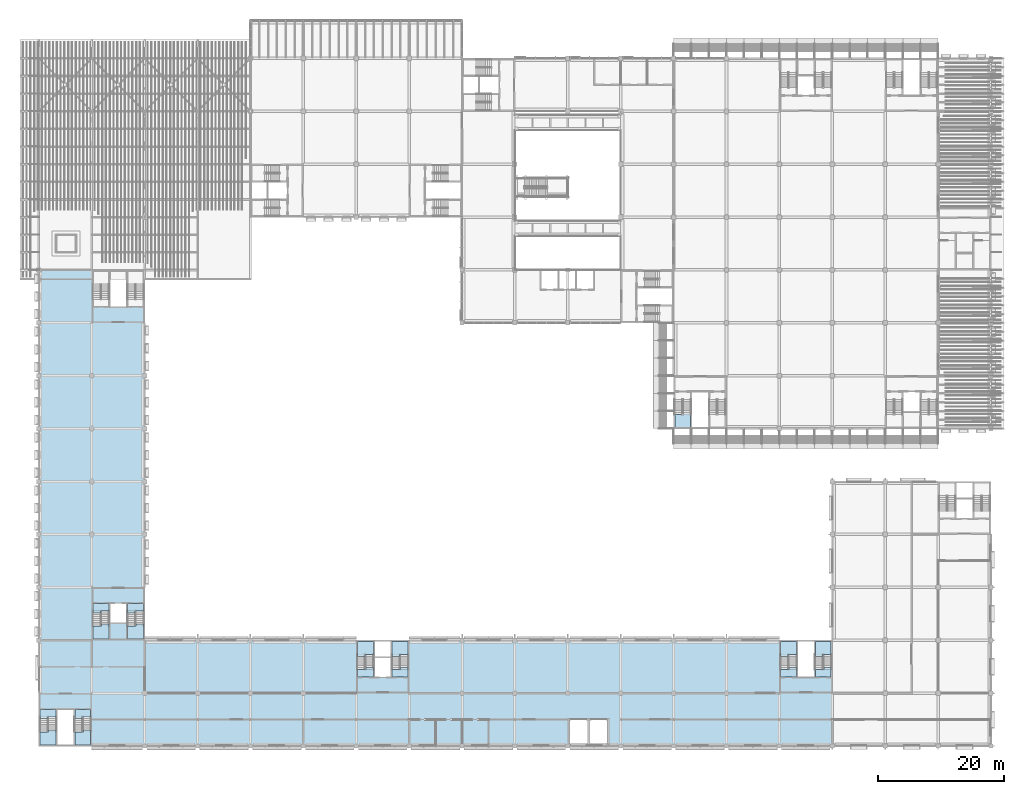
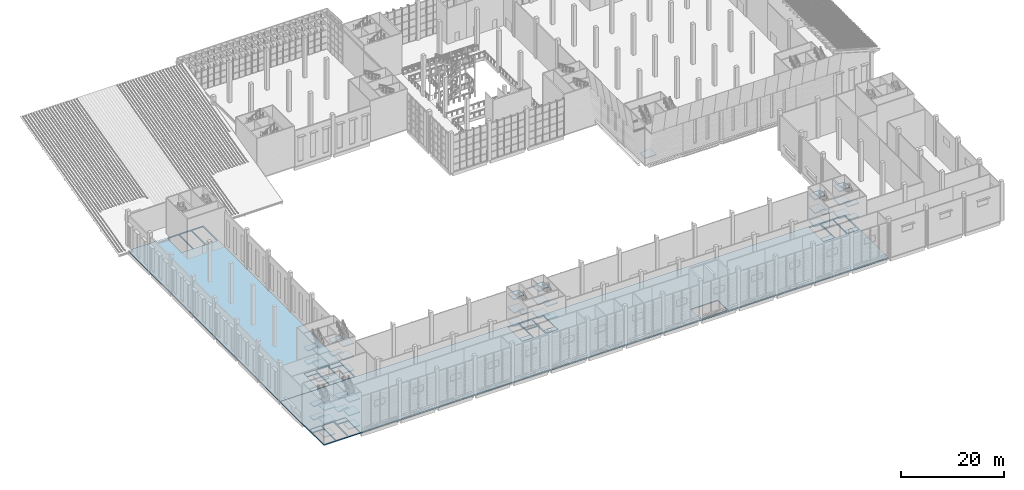
# One storey, part 30 of 114: 51 slabs, 9 elements without a shape of their own.
"""IFC4 building model written with IfcOpenShell, lengths in metres."""

from ifc_helpers import new_model, si_unit, direction, frame, origin, place, context, subcontext, project, spatial, polyline, outline, extrude, material, layer, layer_set, type_object, element, aggregate, save


model = new_model("IFC4")

# Units and contexts
model_context = context("Model", 3, precision=1e-05, world=origin(), true_north=direction((0.0, 1.0)))
body_context = subcontext(model_context, "Body", "Model", "MODEL_VIEW")
ifc_project = project(units=[si_unit("LENGTHUNIT", "METRE"), si_unit("AREAUNIT", "SQUARE_METRE"), si_unit("VOLUMEUNIT", "CUBIC_METRE"), si_unit("PLANEANGLEUNIT", "RADIAN"), si_unit("MASSUNIT", "GRAM", prefix="KILO")], contexts=[model_context])

# Site, building, storey
site_placement = place(None, origin())
site = spatial("IfcSite", under=ifc_project, at=site_placement, CompositionType="ELEMENT")
building_placement = place(site_placement, origin())
building = spatial("IfcBuilding", under=site, at=building_placement, Name="Almond Square Museum", CompositionType="ELEMENT")
storey_placement = place(building_placement, frame((0.0, 0.0, 10.5)))
storey = spatial("IfcBuildingStorey", under=building, at=storey_placement, Name="L02", CompositionType="ELEMENT", Elevation=10.5)

# Stair, slab
ifc_material_1 = material(Name="Concrete C40/50", Category="concrete")
stair_type = type_object("IfcStairType", Name="Exit stair 54 risers of 176 mm", PredefinedType="HALF_TURN_STAIR", material=ifc_material_1)
stair_1_placement = place(storey_placement, origin())
stair_1 = element("IfcStair", 1, at=stair_1_placement, inside=storey, type_object=stair_type, Name="L02 stair H1-1", PredefinedType="HALF_TURN_STAIR")
ifc_material_2 = material(Name="Concrete C40/50", Category="concrete")
ifc_layer_1 = layer(ifc_material_2, 0.199951171875)
ifc_layer_set_1 = layer_set([ifc_layer_1], Name="Concrete C40/50")
slab_type_1 = type_object("IfcSlabType", Name="Concrete stair landing 200", PredefinedType="LANDING", material=ifc_layer_set_1)
slab_1_placement = place(storey_placement, frame((0.0, 0.0, 1.38330078125)))
slab_1 = element("IfcSlab", 2, at=slab_1_placement, type_object=slab_type_1, Name="ST-01 landing 1", PredefinedType="LANDING", context=body_context, shape_type="SweptSolid", body=[
    extrude(outline(polyline([(107.0, 52.653076171875), (107.0, 50.60009765625), (109.5, 50.60009765625), (109.5, 52.949951171875), (108.35009765625, 52.949951171875), (108.35009765625, 52.653076171875), (107.0, 52.653076171875)])), origin(), (0.0, 0.0, 1.0), 0.199951171875),
])
aggregate(stair_1, [slab_1])

# Stair, slabs
stair_2_placement = place(storey_placement, origin())
stair_2 = element("IfcStair", 3, at=stair_2_placement, inside=storey, type_object=stair_type, Name="L02 stair W1-1", PredefinedType="HALF_TURN_STAIR")
slab_2_placement = place(storey_placement, frame((0.0, 0.0, 1.38330078125)))
slab_2 = element("IfcSlab", 4, at=slab_2_placement, type_object=slab_type_1, Name="ST-21 landing 1", PredefinedType="LANDING", context=body_context, shape_type="SweptSolid", body=[
    extrude(outline(polyline([(14.60009765625, 19.052978515625), (14.60009765625, 17.0), (17.10009765625, 17.0), (17.10009765625, 19.35009765625), (15.949951171875, 19.35009765625), (15.949951171875, 19.052978515625), (14.60009765625, 19.052978515625)])), origin(), (0.0, 0.0, 1.0), 0.199951171875),
])
slab_3_placement = place(storey_placement, frame((0.0, 0.0, 2.966552734375)))
slab_3 = element("IfcSlab", 5, at=slab_3_placement, type_object=slab_type_1, Name="ST-21 landing 2", PredefinedType="LANDING", context=body_context, shape_type="SweptSolid", body=[
    extrude(outline(polyline([(14.60009765625, 22.60009765625), (14.60009765625, 21.449951171875), (14.60009765625, 21.14990234375), (15.75, 21.14990234375), (15.75, 21.447021484375), (17.10009765625, 21.447021484375), (17.10009765625, 22.60009765625), (14.60009765625, 22.60009765625)])), origin(), (0.0, 0.0, 1.0), 0.2001953125),
])
slab_4_placement = place(storey_placement, frame((0.0, 0.0, 4.550048828125)))
slab_4 = element("IfcSlab", 6, at=slab_4_placement, type_object=slab_type_1, Name="ST-21 landing 3", PredefinedType="LANDING", context=body_context, shape_type="SweptSolid", body=[
    extrude(outline(polyline([(14.60009765625, 19.052978515625), (14.60009765625, 17.0), (17.10009765625, 17.0), (17.10009765625, 19.35009765625), (15.949951171875, 19.35009765625), (15.949951171875, 19.052978515625), (14.60009765625, 19.052978515625)])), origin(), (0.0, 0.0, 1.0), 0.199951171875),
])
slab_5_placement = place(storey_placement, frame((0.0, 0.0, 6.13330078125)))
slab_5 = element("IfcSlab", 7, at=slab_5_placement, type_object=slab_type_1, Name="ST-21 landing 4", PredefinedType="LANDING", context=body_context, shape_type="SweptSolid", body=[
    extrude(outline(polyline([(14.60009765625, 22.60009765625), (14.60009765625, 21.449951171875), (14.60009765625, 21.14990234375), (15.75, 21.14990234375), (15.75, 21.447021484375), (17.10009765625, 21.447021484375), (17.10009765625, 22.60009765625), (14.60009765625, 22.60009765625)])), origin(), (0.0, 0.0, 1.0), 0.199951171875),
])
slab_6_placement = place(storey_placement, frame((0.0, 0.0, 7.716552734375)))
slab_6 = element("IfcSlab", 8, at=slab_6_placement, type_object=slab_type_1, Name="ST-21 landing 5", PredefinedType="LANDING", context=body_context, shape_type="SweptSolid", body=[
    extrude(outline(polyline([(14.60009765625, 19.052978515625), (14.60009765625, 17.0), (17.10009765625, 17.0), (17.10009765625, 19.35009765625), (15.949951171875, 19.35009765625), (15.949951171875, 19.052978515625), (14.60009765625, 19.052978515625)])), origin(), (0.0, 0.0, 1.0), 0.2001953125),
])
aggregate(stair_2, [slab_2, slab_3, slab_4, slab_5, slab_6])

stair_3_placement = place(storey_placement, origin())
stair_3 = element("IfcStair", 9, at=stair_3_placement, inside=storey, type_object=stair_type, Name="L02 stair W1-2", PredefinedType="HALF_TURN_STAIR")
slab_7_placement = place(storey_placement, frame((0.0, 0.0, 1.38330078125)))
slab_7 = element("IfcSlab", 10, at=slab_7_placement, type_object=slab_type_1, Name="ST-22 landing 1", PredefinedType="LANDING", context=body_context, shape_type="SweptSolid", body=[
    extrude(outline(polyline([(20.10009765625, 19.052978515625), (20.10009765625, 17.0), (22.60009765625, 17.0), (22.60009765625, 19.35009765625), (21.449951171875, 19.35009765625), (21.449951171875, 19.052978515625), (20.10009765625, 19.052978515625)])), origin(), (0.0, 0.0, 1.0), 0.199951171875),
])
slab_8_placement = place(storey_placement, frame((0.0, 0.0, 2.966552734375)))
slab_8 = element("IfcSlab", 11, at=slab_8_placement, type_object=slab_type_1, Name="ST-22 landing 2", PredefinedType="LANDING", context=body_context, shape_type="SweptSolid", body=[
    extrude(outline(polyline([(20.10009765625, 22.60009765625), (20.10009765625, 21.449951171875), (20.10009765625, 21.14990234375), (21.25, 21.14990234375), (21.25, 21.447021484375), (22.60009765625, 21.447021484375), (22.60009765625, 22.60009765625), (20.10009765625, 22.60009765625)])), origin(), (0.0, 0.0, 1.0), 0.2001953125),
])
slab_9_placement = place(storey_placement, frame((0.0, 0.0, 4.550048828125)))
slab_9 = element("IfcSlab", 12, at=slab_9_placement, type_object=slab_type_1, Name="ST-22 landing 3", PredefinedType="LANDING", context=body_context, shape_type="SweptSolid", body=[
    extrude(outline(polyline([(20.10009765625, 19.052978515625), (20.10009765625, 17.0), (22.60009765625, 17.0), (22.60009765625, 19.35009765625), (21.449951171875, 19.35009765625), (21.449951171875, 19.052978515625), (20.10009765625, 19.052978515625)])), origin(), (0.0, 0.0, 1.0), 0.199951171875),
])
slab_10_placement = place(storey_placement, frame((0.0, 0.0, 6.13330078125)))
slab_10 = element("IfcSlab", 13, at=slab_10_placement, type_object=slab_type_1, Name="ST-22 landing 4", PredefinedType="LANDING", context=body_context, shape_type="SweptSolid", body=[
    extrude(outline(polyline([(20.10009765625, 22.60009765625), (20.10009765625, 21.449951171875), (20.10009765625, 21.14990234375), (21.25, 21.14990234375), (21.25, 21.447021484375), (22.60009765625, 21.447021484375), (22.60009765625, 22.60009765625), (20.10009765625, 22.60009765625)])), origin(), (0.0, 0.0, 1.0), 0.199951171875),
])
slab_11_placement = place(storey_placement, frame((0.0, 0.0, 7.716552734375)))
slab_11 = element("IfcSlab", 14, at=slab_11_placement, type_object=slab_type_1, Name="ST-22 landing 5", PredefinedType="LANDING", context=body_context, shape_type="SweptSolid", body=[
    extrude(outline(polyline([(20.10009765625, 19.052978515625), (20.10009765625, 17.0), (22.60009765625, 17.0), (22.60009765625, 19.35009765625), (21.449951171875, 19.35009765625), (21.449951171875, 19.052978515625), (20.10009765625, 19.052978515625)])), origin(), (0.0, 0.0, 1.0), 0.2001953125),
])
aggregate(stair_3, [slab_7, slab_8, slab_9, slab_10, slab_11])

stair_4_placement = place(storey_placement, origin())
stair_4 = element("IfcStair", 15, at=stair_4_placement, inside=storey, type_object=stair_type, Name="L02 stair S1-1", PredefinedType="HALF_TURN_STAIR")
slab_12_placement = place(storey_placement, frame((0.0, 0.0, 1.38330078125)))
slab_12 = element("IfcSlab", 16, at=slab_12_placement, type_object=slab_type_1, Name="ST-27 landing 1", PredefinedType="LANDING", context=body_context, shape_type="SweptSolid", body=[
    extrude(outline(polyline([(6.199951171875, 2.2529296875), (6.199951171875, 0.199951171875), (8.699951171875, 0.199951171875), (8.699951171875, 2.550048828125), (7.550048828125, 2.550048828125), (7.550048828125, 2.2529296875), (6.199951171875, 2.2529296875)])), origin(), (0.0, 0.0, 1.0), 0.199951171875),
])
slab_13_placement = place(storey_placement, frame((0.0, 0.0, 2.966552734375)))
slab_13 = element("IfcSlab", 17, at=slab_13_placement, type_object=slab_type_1, Name="ST-27 landing 2", PredefinedType="LANDING", context=body_context, shape_type="SweptSolid", body=[
    extrude(outline(polyline([(6.199951171875, 5.800048828125), (6.199951171875, 4.64990234375), (6.199951171875, 4.35009765625), (7.35009765625, 4.35009765625), (7.35009765625, 4.64697265625), (8.699951171875, 4.64697265625), (8.699951171875, 5.800048828125), (6.199951171875, 5.800048828125)])), origin(), (0.0, 0.0, 1.0), 0.2001953125),
])
slab_14_placement = place(storey_placement, frame((0.0, 0.0, 4.550048828125)))
slab_14 = element("IfcSlab", 18, at=slab_14_placement, type_object=slab_type_1, Name="ST-27 landing 3", PredefinedType="LANDING", context=body_context, shape_type="SweptSolid", body=[
    extrude(outline(polyline([(6.199951171875, 2.2529296875), (6.199951171875, 0.199951171875), (8.699951171875, 0.199951171875), (8.699951171875, 2.550048828125), (7.550048828125, 2.550048828125), (7.550048828125, 2.2529296875), (6.199951171875, 2.2529296875)])), origin(), (0.0, 0.0, 1.0), 0.199951171875),
])
slab_15_placement = place(storey_placement, frame((0.0, 0.0, 6.13330078125)))
slab_15 = element("IfcSlab", 19, at=slab_15_placement, type_object=slab_type_1, Name="ST-27 landing 4", PredefinedType="LANDING", context=body_context, shape_type="SweptSolid", body=[
    extrude(outline(polyline([(6.199951171875, 5.800048828125), (6.199951171875, 4.64990234375), (6.199951171875, 4.35009765625), (7.35009765625, 4.35009765625), (7.35009765625, 4.64697265625), (8.699951171875, 4.64697265625), (8.699951171875, 5.800048828125), (6.199951171875, 5.800048828125)])), origin(), (0.0, 0.0, 1.0), 0.199951171875),
])
slab_16_placement = place(storey_placement, frame((0.0, 0.0, 7.716552734375)))
slab_16 = element("IfcSlab", 20, at=slab_16_placement, type_object=slab_type_1, Name="ST-27 landing 5", PredefinedType="LANDING", context=body_context, shape_type="SweptSolid", body=[
    extrude(outline(polyline([(6.199951171875, 2.2529296875), (6.199951171875, 0.199951171875), (8.699951171875, 0.199951171875), (8.699951171875, 2.550048828125), (7.550048828125, 2.550048828125), (7.550048828125, 2.2529296875), (6.199951171875, 2.2529296875)])), origin(), (0.0, 0.0, 1.0), 0.2001953125),
])
aggregate(stair_4, [slab_12, slab_13, slab_14, slab_15, slab_16])

stair_5_placement = place(storey_placement, origin())
stair_5 = element("IfcStair", 21, at=stair_5_placement, inside=storey, type_object=stair_type, Name="L02 stair S1-2", PredefinedType="HALF_TURN_STAIR")
slab_17_placement = place(storey_placement, frame((0.0, 0.0, 1.38330078125)))
slab_17 = element("IfcSlab", 22, at=slab_17_placement, type_object=slab_type_1, Name="ST-28 landing 1", PredefinedType="LANDING", context=body_context, shape_type="SweptSolid", body=[
    extrude(outline(polyline([(11.699951171875, 2.2529296875), (11.699951171875, 0.199951171875), (14.199951171875, 0.199951171875), (14.199951171875, 2.550048828125), (13.050048828125, 2.550048828125), (13.050048828125, 2.2529296875), (11.699951171875, 2.2529296875)])), origin(), (0.0, 0.0, 1.0), 0.199951171875),
])
slab_18_placement = place(storey_placement, frame((0.0, 0.0, 2.966552734375)))
slab_18 = element("IfcSlab", 23, at=slab_18_placement, type_object=slab_type_1, Name="ST-28 landing 2", PredefinedType="LANDING", context=body_context, shape_type="SweptSolid", body=[
    extrude(outline(polyline([(11.699951171875, 5.800048828125), (11.699951171875, 4.64990234375), (11.699951171875, 4.35009765625), (12.85009765625, 4.35009765625), (12.85009765625, 4.64697265625), (14.199951171875, 4.64697265625), (14.199951171875, 5.800048828125), (11.699951171875, 5.800048828125)])), origin(), (0.0, 0.0, 1.0), 0.2001953125),
])
slab_19_placement = place(storey_placement, frame((0.0, 0.0, 4.550048828125)))
slab_19 = element("IfcSlab", 24, at=slab_19_placement, type_object=slab_type_1, Name="ST-28 landing 3", PredefinedType="LANDING", context=body_context, shape_type="SweptSolid", body=[
    extrude(outline(polyline([(11.699951171875, 2.2529296875), (11.699951171875, 0.199951171875), (14.199951171875, 0.199951171875), (14.199951171875, 2.550048828125), (13.050048828125, 2.550048828125), (13.050048828125, 2.2529296875), (11.699951171875, 2.2529296875)])), origin(), (0.0, 0.0, 1.0), 0.199951171875),
])
slab_20_placement = place(storey_placement, frame((0.0, 0.0, 6.13330078125)))
slab_20 = element("IfcSlab", 25, at=slab_20_placement, type_object=slab_type_1, Name="ST-28 landing 4", PredefinedType="LANDING", context=body_context, shape_type="SweptSolid", body=[
    extrude(outline(polyline([(11.699951171875, 5.800048828125), (11.699951171875, 4.64990234375), (11.699951171875, 4.35009765625), (12.85009765625, 4.35009765625), (12.85009765625, 4.64697265625), (14.199951171875, 4.64697265625), (14.199951171875, 5.800048828125), (11.699951171875, 5.800048828125)])), origin(), (0.0, 0.0, 1.0), 0.199951171875),
])
slab_21_placement = place(storey_placement, frame((0.0, 0.0, 7.716552734375)))
slab_21 = element("IfcSlab", 26, at=slab_21_placement, type_object=slab_type_1, Name="ST-28 landing 5", PredefinedType="LANDING", context=body_context, shape_type="SweptSolid", body=[
    extrude(outline(polyline([(11.699951171875, 2.2529296875), (11.699951171875, 0.199951171875), (14.199951171875, 0.199951171875), (14.199951171875, 2.550048828125), (13.050048828125, 2.550048828125), (13.050048828125, 2.2529296875), (11.699951171875, 2.2529296875)])), origin(), (0.0, 0.0, 1.0), 0.2001953125),
])
aggregate(stair_5, [slab_17, slab_18, slab_19, slab_20, slab_21])

stair_6_placement = place(storey_placement, origin())
stair_6 = element("IfcStair", 27, at=stair_6_placement, inside=storey, type_object=stair_type, Name="L02 stair S2-1", PredefinedType="HALF_TURN_STAIR")
slab_22_placement = place(storey_placement, frame((0.0, 0.0, 1.38330078125)))
slab_22 = element("IfcSlab", 28, at=slab_22_placement, type_object=slab_type_1, Name="ST-29 landing 1", PredefinedType="LANDING", context=body_context, shape_type="SweptSolid", body=[
    extrude(outline(polyline([(59.10009765625, 14.547119140625), (59.10009765625, 16.60009765625), (56.60009765625, 16.60009765625), (56.60009765625, 14.25), (57.75, 14.25), (57.75, 14.547119140625), (59.10009765625, 14.547119140625)])), origin(), (0.0, 0.0, 1.0), 0.199951171875),
])
slab_23_placement = place(storey_placement, frame((0.0, 0.0, 2.966552734375)))
slab_23 = element("IfcSlab", 29, at=slab_23_placement, type_object=slab_type_1, Name="ST-29 landing 2", PredefinedType="LANDING", context=body_context, shape_type="SweptSolid", body=[
    extrude(outline(polyline([(59.10009765625, 11.0), (59.10009765625, 12.14990234375), (59.10009765625, 12.449951171875), (57.949951171875, 12.449951171875), (57.949951171875, 12.153076171875), (56.60009765625, 12.153076171875), (56.60009765625, 11.0), (59.10009765625, 11.0)])), origin(), (0.0, 0.0, 1.0), 0.2001953125),
])
slab_24_placement = place(storey_placement, frame((0.0, 0.0, 4.550048828125)))
slab_24 = element("IfcSlab", 30, at=slab_24_placement, type_object=slab_type_1, Name="ST-29 landing 3", PredefinedType="LANDING", context=body_context, shape_type="SweptSolid", body=[
    extrude(outline(polyline([(59.10009765625, 14.547119140625), (59.10009765625, 16.60009765625), (56.60009765625, 16.60009765625), (56.60009765625, 14.25), (57.75, 14.25), (57.75, 14.547119140625), (59.10009765625, 14.547119140625)])), origin(), (0.0, 0.0, 1.0), 0.199951171875),
])
slab_25_placement = place(storey_placement, frame((0.0, 0.0, 6.13330078125)))
slab_25 = element("IfcSlab", 31, at=slab_25_placement, type_object=slab_type_1, Name="ST-29 landing 4", PredefinedType="LANDING", context=body_context, shape_type="SweptSolid", body=[
    extrude(outline(polyline([(59.10009765625, 11.0), (59.10009765625, 12.14990234375), (59.10009765625, 12.449951171875), (57.949951171875, 12.449951171875), (57.949951171875, 12.153076171875), (56.60009765625, 12.153076171875), (56.60009765625, 11.0), (59.10009765625, 11.0)])), origin(), (0.0, 0.0, 1.0), 0.199951171875),
])
slab_26_placement = place(storey_placement, frame((0.0, 0.0, 7.716552734375)))
slab_26 = element("IfcSlab", 32, at=slab_26_placement, type_object=slab_type_1, Name="ST-29 landing 5", PredefinedType="LANDING", context=body_context, shape_type="SweptSolid", body=[
    extrude(outline(polyline([(59.10009765625, 14.547119140625), (59.10009765625, 16.60009765625), (56.60009765625, 16.60009765625), (56.60009765625, 14.25), (57.75, 14.25), (57.75, 14.547119140625), (59.10009765625, 14.547119140625)])), origin(), (0.0, 0.0, 1.0), 0.2001953125),
])
aggregate(stair_6, [slab_22, slab_23, slab_24, slab_25, slab_26])

stair_7_placement = place(storey_placement, origin())
stair_7 = element("IfcStair", 33, at=stair_7_placement, inside=storey, type_object=stair_type, Name="L02 stair S2-2", PredefinedType="HALF_TURN_STAIR")
slab_27_placement = place(storey_placement, frame((0.0, 0.0, 1.38330078125)))
slab_27 = element("IfcSlab", 34, at=slab_27_placement, type_object=slab_type_1, Name="ST-30 landing 1", PredefinedType="LANDING", context=body_context, shape_type="SweptSolid", body=[
    extrude(outline(polyline([(64.60009765625, 14.547119140625), (64.60009765625, 16.60009765625), (62.10009765625, 16.60009765625), (62.10009765625, 14.25), (63.25, 14.25), (63.25, 14.547119140625), (64.60009765625, 14.547119140625)])), origin(), (0.0, 0.0, 1.0), 0.199951171875),
])
slab_28_placement = place(storey_placement, frame((0.0, 0.0, 2.966552734375)))
slab_28 = element("IfcSlab", 35, at=slab_28_placement, type_object=slab_type_1, Name="ST-30 landing 2", PredefinedType="LANDING", context=body_context, shape_type="SweptSolid", body=[
    extrude(outline(polyline([(64.60009765625, 11.0), (64.60009765625, 12.14990234375), (64.60009765625, 12.449951171875), (63.449951171875, 12.449951171875), (63.449951171875, 12.153076171875), (62.10009765625, 12.153076171875), (62.10009765625, 11.0), (64.60009765625, 11.0)])), origin(), (0.0, 0.0, 1.0), 0.2001953125),
])
slab_29_placement = place(storey_placement, frame((0.0, 0.0, 4.550048828125)))
slab_29 = element("IfcSlab", 36, at=slab_29_placement, type_object=slab_type_1, Name="ST-30 landing 3", PredefinedType="LANDING", context=body_context, shape_type="SweptSolid", body=[
    extrude(outline(polyline([(64.60009765625, 14.547119140625), (64.60009765625, 16.60009765625), (62.10009765625, 16.60009765625), (62.10009765625, 14.25), (63.25, 14.25), (63.25, 14.547119140625), (64.60009765625, 14.547119140625)])), origin(), (0.0, 0.0, 1.0), 0.199951171875),
])
slab_30_placement = place(storey_placement, frame((0.0, 0.0, 6.13330078125)))
slab_30 = element("IfcSlab", 37, at=slab_30_placement, type_object=slab_type_1, Name="ST-30 landing 4", PredefinedType="LANDING", context=body_context, shape_type="SweptSolid", body=[
    extrude(outline(polyline([(64.60009765625, 11.0), (64.60009765625, 12.14990234375), (64.60009765625, 12.449951171875), (63.449951171875, 12.449951171875), (63.449951171875, 12.153076171875), (62.10009765625, 12.153076171875), (62.10009765625, 11.0), (64.60009765625, 11.0)])), origin(), (0.0, 0.0, 1.0), 0.199951171875),
])
slab_31_placement = place(storey_placement, frame((0.0, 0.0, 7.716552734375)))
slab_31 = element("IfcSlab", 38, at=slab_31_placement, type_object=slab_type_1, Name="ST-30 landing 5", PredefinedType="LANDING", context=body_context, shape_type="SweptSolid", body=[
    extrude(outline(polyline([(64.60009765625, 14.547119140625), (64.60009765625, 16.60009765625), (62.10009765625, 16.60009765625), (62.10009765625, 14.25), (63.25, 14.25), (63.25, 14.547119140625), (64.60009765625, 14.547119140625)])), origin(), (0.0, 0.0, 1.0), 0.2001953125),
])
aggregate(stair_7, [slab_27, slab_28, slab_29, slab_30, slab_31])

stair_8_placement = place(storey_placement, origin())
stair_8 = element("IfcStair", 39, at=stair_8_placement, inside=storey, type_object=stair_type, Name="L02 stair S3-1", PredefinedType="HALF_TURN_STAIR")
slab_32_placement = place(storey_placement, frame((0.0, 0.0, 1.38330078125)))
slab_32 = element("IfcSlab", 40, at=slab_32_placement, type_object=slab_type_1, Name="ST-31 landing 1", PredefinedType="LANDING", context=body_context, shape_type="SweptSolid", body=[
    extrude(outline(polyline([(126.300048828125, 14.547119140625), (126.300048828125, 16.60009765625), (123.800048828125, 16.60009765625), (123.800048828125, 14.25), (124.949951171875, 14.25), (124.949951171875, 14.547119140625), (126.300048828125, 14.547119140625)])), origin(), (0.0, 0.0, 1.0), 0.199951171875),
])
slab_33_placement = place(storey_placement, frame((0.0, 0.0, 2.966552734375)))
slab_33 = element("IfcSlab", 41, at=slab_33_placement, type_object=slab_type_1, Name="ST-31 landing 2", PredefinedType="LANDING", context=body_context, shape_type="SweptSolid", body=[
    extrude(outline(polyline([(126.300048828125, 11.0), (126.300048828125, 12.14990234375), (126.300048828125, 12.449951171875), (125.14990234375, 12.449951171875), (125.14990234375, 12.153076171875), (123.800048828125, 12.153076171875), (123.800048828125, 11.0), (126.300048828125, 11.0)])), origin(), (0.0, 0.0, 1.0), 0.2001953125),
])
slab_34_placement = place(storey_placement, frame((0.0, 0.0, 4.550048828125)))
slab_34 = element("IfcSlab", 42, at=slab_34_placement, type_object=slab_type_1, Name="ST-31 landing 3", PredefinedType="LANDING", context=body_context, shape_type="SweptSolid", body=[
    extrude(outline(polyline([(126.300048828125, 14.547119140625), (126.300048828125, 16.60009765625), (123.800048828125, 16.60009765625), (123.800048828125, 14.25), (124.949951171875, 14.25), (124.949951171875, 14.547119140625), (126.300048828125, 14.547119140625)])), origin(), (0.0, 0.0, 1.0), 0.199951171875),
])
slab_35_placement = place(storey_placement, frame((0.0, 0.0, 6.13330078125)))
slab_35 = element("IfcSlab", 43, at=slab_35_placement, type_object=slab_type_1, Name="ST-31 landing 4", PredefinedType="LANDING", context=body_context, shape_type="SweptSolid", body=[
    extrude(outline(polyline([(126.300048828125, 11.0), (126.300048828125, 12.14990234375), (126.300048828125, 12.449951171875), (125.14990234375, 12.449951171875), (125.14990234375, 12.153076171875), (123.800048828125, 12.153076171875), (123.800048828125, 11.0), (126.300048828125, 11.0)])), origin(), (0.0, 0.0, 1.0), 0.199951171875),
])
slab_36_placement = place(storey_placement, frame((0.0, 0.0, 7.716552734375)))
slab_36 = element("IfcSlab", 44, at=slab_36_placement, type_object=slab_type_1, Name="ST-31 landing 5", PredefinedType="LANDING", context=body_context, shape_type="SweptSolid", body=[
    extrude(outline(polyline([(126.300048828125, 14.547119140625), (126.300048828125, 16.60009765625), (123.800048828125, 16.60009765625), (123.800048828125, 14.25), (124.949951171875, 14.25), (124.949951171875, 14.547119140625), (126.300048828125, 14.547119140625)])), origin(), (0.0, 0.0, 1.0), 0.2001953125),
])
aggregate(stair_8, [slab_32, slab_33, slab_34, slab_35, slab_36])

stair_9_placement = place(storey_placement, origin())
stair_9 = element("IfcStair", 45, at=stair_9_placement, inside=storey, type_object=stair_type, Name="L02 stair S3-2", PredefinedType="HALF_TURN_STAIR")
slab_37_placement = place(storey_placement, frame((0.0, 0.0, 1.38330078125)))
slab_37 = element("IfcSlab", 46, at=slab_37_placement, type_object=slab_type_1, Name="ST-32 landing 1", PredefinedType="LANDING", context=body_context, shape_type="SweptSolid", body=[
    extrude(outline(polyline([(131.800048828125, 14.547119140625), (131.800048828125, 16.60009765625), (129.300048828125, 16.60009765625), (129.300048828125, 14.25), (130.449951171875, 14.25), (130.449951171875, 14.547119140625), (131.800048828125, 14.547119140625)])), origin(), (0.0, 0.0, 1.0), 0.199951171875),
])
slab_38_placement = place(storey_placement, frame((0.0, 0.0, 2.966552734375)))
slab_38 = element("IfcSlab", 47, at=slab_38_placement, type_object=slab_type_1, Name="ST-32 landing 2", PredefinedType="LANDING", context=body_context, shape_type="SweptSolid", body=[
    extrude(outline(polyline([(131.800048828125, 11.0), (131.800048828125, 12.14990234375), (131.800048828125, 12.449951171875), (130.64990234375, 12.449951171875), (130.64990234375, 12.153076171875), (129.300048828125, 12.153076171875), (129.300048828125, 11.0), (131.800048828125, 11.0)])), origin(), (0.0, 0.0, 1.0), 0.2001953125),
])
slab_39_placement = place(storey_placement, frame((0.0, 0.0, 4.550048828125)))
slab_39 = element("IfcSlab", 48, at=slab_39_placement, type_object=slab_type_1, Name="ST-32 landing 3", PredefinedType="LANDING", context=body_context, shape_type="SweptSolid", body=[
    extrude(outline(polyline([(131.800048828125, 14.547119140625), (131.800048828125, 16.60009765625), (129.300048828125, 16.60009765625), (129.300048828125, 14.25), (130.449951171875, 14.25), (130.449951171875, 14.547119140625), (131.800048828125, 14.547119140625)])), origin(), (0.0, 0.0, 1.0), 0.199951171875),
])
slab_40_placement = place(storey_placement, frame((0.0, 0.0, 6.13330078125)))
slab_40 = element("IfcSlab", 49, at=slab_40_placement, type_object=slab_type_1, Name="ST-32 landing 4", PredefinedType="LANDING", context=body_context, shape_type="SweptSolid", body=[
    extrude(outline(polyline([(131.800048828125, 11.0), (131.800048828125, 12.14990234375), (131.800048828125, 12.449951171875), (130.64990234375, 12.449951171875), (130.64990234375, 12.153076171875), (129.300048828125, 12.153076171875), (129.300048828125, 11.0), (131.800048828125, 11.0)])), origin(), (0.0, 0.0, 1.0), 0.199951171875),
])
slab_41_placement = place(storey_placement, frame((0.0, 0.0, 7.716552734375)))
slab_41 = element("IfcSlab", 50, at=slab_41_placement, type_object=slab_type_1, Name="ST-32 landing 5", PredefinedType="LANDING", context=body_context, shape_type="SweptSolid", body=[
    extrude(outline(polyline([(131.800048828125, 14.547119140625), (131.800048828125, 16.60009765625), (129.300048828125, 16.60009765625), (129.300048828125, 14.25), (130.449951171875, 14.25), (130.449951171875, 14.547119140625), (131.800048828125, 14.547119140625)])), origin(), (0.0, 0.0, 1.0), 0.2001953125),
])
aggregate(stair_9, [slab_37, slab_38, slab_39, slab_40, slab_41])

# Slabs
slab_42_placement = place(storey_placement, frame((0.0, 0.0, -0.199951171875)))
element("IfcSlab", 51, at=slab_42_placement, inside=storey, type_object=slab_type_1, Name="L02 stair W1-1 floor landing", PredefinedType="LANDING", context=body_context, shape_type="SweptSolid", body=[
    extrude(outline(polyline([(14.60009765625, 21.447021484375), (17.10009765625, 21.447021484375), (17.10009765625, 22.60009765625), (14.60009765625, 22.60009765625), (14.60009765625, 21.447021484375)])), origin(), (0.0, 0.0, 1.0), 0.199951171875),
])
slab_43_placement = place(storey_placement, frame((0.0, 0.0, -0.199951171875)))
element("IfcSlab", 52, at=slab_43_placement, inside=storey, type_object=slab_type_1, Name="L02 stair W1-2 floor landing", PredefinedType="LANDING", context=body_context, shape_type="SweptSolid", body=[
    extrude(outline(polyline([(20.10009765625, 21.447021484375), (22.60009765625, 21.447021484375), (22.60009765625, 22.60009765625), (20.10009765625, 22.60009765625), (20.10009765625, 21.447021484375)])), origin(), (0.0, 0.0, 1.0), 0.199951171875),
])
slab_44_placement = place(storey_placement, frame((0.0, 0.0, -0.199951171875)))
element("IfcSlab", 53, at=slab_44_placement, inside=storey, type_object=slab_type_1, Name="L02 stair S1-1 floor landing", PredefinedType="LANDING", context=body_context, shape_type="SweptSolid", body=[
    extrude(outline(polyline([(6.199951171875, 4.64697265625), (8.699951171875, 4.64697265625), (8.699951171875, 5.800048828125), (6.199951171875, 5.800048828125), (6.199951171875, 4.64697265625)])), origin(), (0.0, 0.0, 1.0), 0.199951171875),
])
slab_45_placement = place(storey_placement, frame((0.0, 0.0, -0.199951171875)))
element("IfcSlab", 54, at=slab_45_placement, inside=storey, type_object=slab_type_1, Name="L02 stair S1-2 floor landing", PredefinedType="LANDING", context=body_context, shape_type="SweptSolid", body=[
    extrude(outline(polyline([(11.699951171875, 4.64697265625), (14.199951171875, 4.64697265625), (14.199951171875, 5.800048828125), (11.699951171875, 5.800048828125), (11.699951171875, 4.64697265625)])), origin(), (0.0, 0.0, 1.0), 0.199951171875),
])
slab_46_placement = place(storey_placement, frame((0.0, 0.0, -0.199951171875)))
element("IfcSlab", 55, at=slab_46_placement, inside=storey, type_object=slab_type_1, Name="L02 stair S2-1 floor landing", PredefinedType="LANDING", context=body_context, shape_type="SweptSolid", body=[
    extrude(outline(polyline([(56.60009765625, 11.0), (59.10009765625, 11.0), (59.10009765625, 12.153076171875), (56.60009765625, 12.153076171875), (56.60009765625, 11.0)])), origin(), (0.0, 0.0, 1.0), 0.199951171875),
])
slab_47_placement = place(storey_placement, frame((0.0, 0.0, -0.199951171875)))
element("IfcSlab", 56, at=slab_47_placement, inside=storey, type_object=slab_type_1, Name="L02 stair S2-2 floor landing", PredefinedType="LANDING", context=body_context, shape_type="SweptSolid", body=[
    extrude(outline(polyline([(62.10009765625, 11.0), (64.60009765625, 11.0), (64.60009765625, 12.153076171875), (62.10009765625, 12.153076171875), (62.10009765625, 11.0)])), origin(), (0.0, 0.0, 1.0), 0.199951171875),
])
slab_48_placement = place(storey_placement, frame((0.0, 0.0, -0.199951171875)))
element("IfcSlab", 57, at=slab_48_placement, inside=storey, type_object=slab_type_1, Name="L02 stair S3-1 floor landing", PredefinedType="LANDING", context=body_context, shape_type="SweptSolid", body=[
    extrude(outline(polyline([(123.800048828125, 11.0), (126.300048828125, 11.0), (126.300048828125, 12.153076171875), (123.800048828125, 12.153076171875), (123.800048828125, 11.0)])), origin(), (0.0, 0.0, 1.0), 0.199951171875),
])
slab_49_placement = place(storey_placement, frame((0.0, 0.0, -0.199951171875)))
element("IfcSlab", 58, at=slab_49_placement, inside=storey, type_object=slab_type_1, Name="L02 stair S3-2 floor landing", PredefinedType="LANDING", context=body_context, shape_type="SweptSolid", body=[
    extrude(outline(polyline([(129.300048828125, 11.0), (131.800048828125, 11.0), (131.800048828125, 12.153076171875), (129.300048828125, 12.153076171875), (129.300048828125, 11.0)])), origin(), (0.0, 0.0, 1.0), 0.199951171875),
])
ifc_material_3 = material(Name="Concrete C40/50", Category="concrete")
ifc_layer_2 = layer(ifc_material_3, 0.25)
ifc_layer_set_2 = layer_set([ifc_layer_2], Name="Concrete C40/50")
slab_type_2 = type_object("IfcSlabType", Name="RC floor slab 250 C40/50", PredefinedType="FLOOR", material=ifc_layer_set_2)
slab_50_placement = place(storey_placement, frame((0.0, 0.0, -0.25)))
element("IfcSlab", 59, at=slab_50_placement, inside=storey, type_object=slab_type_2, Name="Floor slab L02 V4W", PredefinedType="FLOOR", context=body_context, shape_type="SweptSolid", body=[
    extrude(outline(polyline([(22.800048828125, 75.60009765625), (22.800048828125, 16.800048828125), (6.0, 16.800048828125), (6.0, 75.60009765625), (22.800048828125, 75.60009765625)]), holes=[polyline([(14.60009765625, 17.0), (17.10009765625, 17.0), (17.10009765625, 22.60009765625), (14.60009765625, 22.60009765625), (14.60009765625, 17.0)]), polyline([(20.10009765625, 17.0), (22.60009765625, 17.0), (22.60009765625, 22.60009765625), (20.10009765625, 22.60009765625), (20.10009765625, 17.0)]), polyline([(17.300048828125, 19.60009765625), (19.89990234375, 19.60009765625), (19.89990234375, 22.60009765625), (17.300048828125, 22.60009765625), (17.300048828125, 19.60009765625)]), polyline([(14.60009765625, 69.800048828125), (17.10009765625, 69.800048828125), (17.10009765625, 75.39990234375), (14.60009765625, 75.39990234375), (14.60009765625, 69.800048828125)]), polyline([(17.300048828125, 69.800048828125), (19.89990234375, 69.800048828125), (19.89990234375, 75.39990234375), (17.300048828125, 75.39990234375), (17.300048828125, 69.800048828125)]), polyline([(20.10009765625, 69.800048828125), (22.60009765625, 69.800048828125), (22.60009765625, 75.39990234375), (20.10009765625, 75.39990234375), (20.10009765625, 69.800048828125)])]), origin(), (0.0, 0.0, 1.0), 0.25),
])
slab_51_placement = place(storey_placement, frame((0.0, 0.0, -0.25)))
element("IfcSlab", 60, at=slab_51_placement, inside=storey, type_object=slab_type_2, Name="Floor slab L02 V5S", PredefinedType="FLOOR", context=body_context, shape_type="SweptSolid", body=[
    extrude(outline(polyline([(22.800048828125, 16.800048828125), (132.0, 16.800048828125), (132.0, 0.0), (6.0, 0.0), (6.0, 16.800048828125), (22.800048828125, 16.800048828125)]), holes=[polyline([(11.5, 0.199951171875), (11.5, 5.800048828125), (8.89990234375, 5.800048828125), (8.89990234375, 0.199951171875), (11.5, 0.199951171875)]), polyline([(11.699951171875, 0.199951171875), (14.199951171875, 0.199951171875), (14.199951171875, 5.800048828125), (11.699951171875, 5.800048828125), (11.699951171875, 0.199951171875)]), polyline([(6.199951171875, 0.199951171875), (8.699951171875, 0.199951171875), (8.699951171875, 5.800048828125), (6.199951171875, 5.800048828125), (6.199951171875, 0.199951171875)]), polyline([(61.89990234375, 11.0), (61.89990234375, 14.0), (59.300048828125, 14.0), (59.300048828125, 11.0), (61.89990234375, 11.0)]), polyline([(62.10009765625, 11.0), (64.60009765625, 11.0), (64.60009765625, 16.60009765625), (62.10009765625, 16.60009765625), (62.10009765625, 11.0)]), polyline([(56.60009765625, 11.0), (59.10009765625, 11.0), (59.10009765625, 16.60009765625), (56.60009765625, 16.60009765625), (56.60009765625, 11.0)]), polyline([(61.89990234375, 14.199951171875), (61.89990234375, 16.60009765625), (59.300048828125, 16.60009765625), (59.300048828125, 14.199951171875), (61.89990234375, 14.199951171875)]), polyline([(90.300048828125, 0.300048828125), (96.300048828125, 0.300048828125), (96.300048828125, 4.10009765625), (90.300048828125, 4.10009765625), (90.300048828125, 0.300048828125)]), polyline([(129.10009765625, 11.0), (129.10009765625, 16.60009765625), (126.5, 16.60009765625), (126.5, 11.0), (129.10009765625, 11.0)]), polyline([(123.800048828125, 11.0), (126.300048828125, 11.0), (126.300048828125, 16.60009765625), (123.800048828125, 16.60009765625), (123.800048828125, 11.0)]), polyline([(129.300048828125, 11.0), (131.800048828125, 11.0), (131.800048828125, 16.60009765625), (129.300048828125, 16.60009765625), (129.300048828125, 11.0)])]), origin(), (0.0, 0.0, 1.0), 0.25),
])

save(model, "model.ifc")
